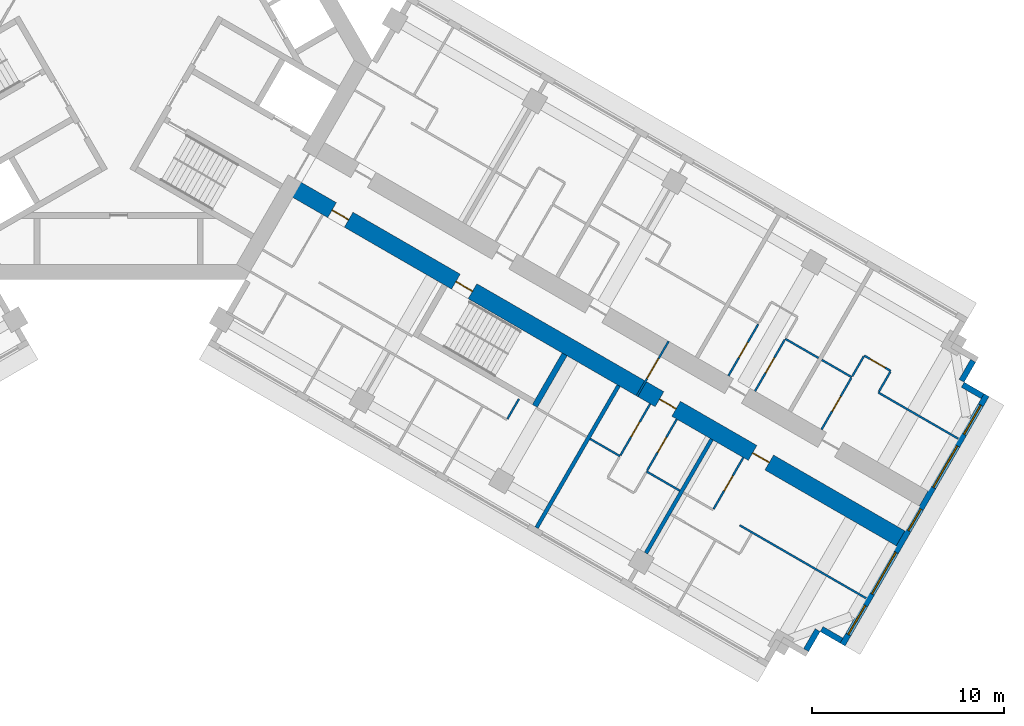
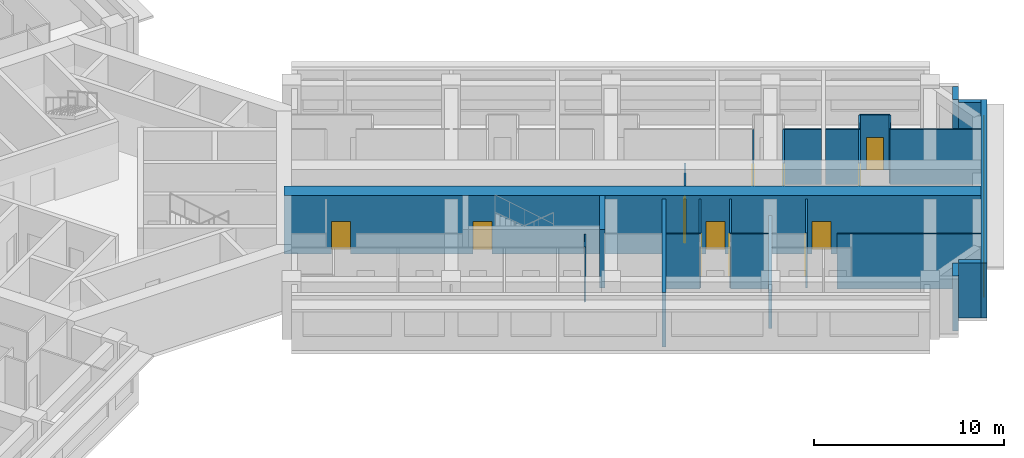
# One storey, part 11 of 15: 26 walls, 12 doors, 5 windows, 17 openings.
"""IFC4 building model written with IfcOpenShell, lengths in metres."""

from ifc_helpers import new_model, si_unit, direction, frame, frame_2d, origin, place, context, subcontext, project, spatial, rectangle, extrude, material, layer, layer_set, type_object, element, fill, save


model = new_model("IFC4")

# Units and contexts
model_context = context("Model", 3, precision=1e-05, world=origin(), true_north=direction((0.0, 1.0)))
body_context = subcontext(model_context, "Body", "Model", "MODEL_VIEW")
ifc_project = project(units=[si_unit("LENGTHUNIT", "METRE"), si_unit("AREAUNIT", "SQUARE_METRE"), si_unit("VOLUMEUNIT", "CUBIC_METRE"), si_unit("PLANEANGLEUNIT", "RADIAN"), si_unit("MASSUNIT", "GRAM", prefix="KILO")], contexts=[model_context])

# Site, building, storey
site_placement = place(None, origin())
site = spatial("IfcSite", under=ifc_project, at=site_placement, CompositionType="ELEMENT")
building_placement = place(site_placement, origin())
building = spatial("IfcBuilding", under=site, at=building_placement, Name="Impinga Residences", CompositionType="ELEMENT")
storey_placement = place(building_placement, frame((0.0, 0.0, 109.75)))
storey = spatial("IfcBuildingStorey", under=building, at=storey_placement, Name="L26", CompositionType="ELEMENT", Elevation=109.75)

# Wall, openings, doors
ifc_material_1 = material(Name="Concrete C60/75", Category="concrete")
ifc_layer_1 = layer(ifc_material_1, 0.89990234375)
ifc_layer_set_1 = layer_set([ifc_layer_1], Name="Concrete C60/75")
wall_type_1 = type_object("IfcWallType", Name="BW2 corridor buttress wall, L24 to L44 900", PredefinedType="SHEAR", material=ifc_layer_set_1)
wall_1_placement = place(storey_placement, frame((8.95361328125, -6.554931640625, 0.0), z_axis=(0.0, 0.0, 1.0), x_axis=(0.866024733898, -0.500001160275, 0.0)))
wall_1 = element("IfcWall", 1, at=wall_1_placement, inside=storey, type_object=wall_type_1, Name="Corridor wall BW2 ED L26", PredefinedType="SHEAR", context=body_context, shape_type="SweptSolid", body=[
    extrude(rectangle(XDim=36.7001953125, YDim=0.89990234375, at=frame_2d((18.35009765625, 0.0))), origin(), (0.0, 0.0, 1.0), 3.75),
])
opening_1_placement = place(wall_1_placement, frame((9.949951171875, 0.0, 0.0)))
opening_1 = element("IfcOpeningElement", 2, at=opening_1_placement, cuts=wall_1, Name="Opening D5", PredefinedType="OPENING", context=body_context, shape_type="SweptSolid", body=[
    extrude(rectangle(XDim=1.0, YDim=2.10009765625, at=frame_2d((0.5, 1.050048828125))), frame((0.0, 0.4599609375, 0.0), z_axis=(0.0, -1.0, 0.0), x_axis=(1.0, 0.0, 0.0)), (0.0, 0.0, 1.0), 0.919921875),
])
opening_2_placement = place(wall_1_placement, frame((2.5, 0.0, 0.0)))
opening_2 = element("IfcOpeningElement", 3, at=opening_2_placement, cuts=wall_1, Name="Opening D1", PredefinedType="OPENING", context=body_context, shape_type="SweptSolid", body=[
    extrude(rectangle(XDim=1.0, YDim=2.10009765625, at=frame_2d((0.5, 1.050048828125))), frame((0.0, 0.4599609375, 0.0), z_axis=(0.0, -1.0, 0.0), x_axis=(1.0, 0.0, 0.0)), (0.0, 0.0, 1.0), 0.919921875),
])
opening_3_placement = place(wall_1_placement, frame((22.199951171875, 0.0, 0.0)))
opening_3 = element("IfcOpeningElement", 4, at=opening_3_placement, cuts=wall_1, Name="Opening D1", PredefinedType="OPENING", context=body_context, shape_type="SweptSolid", body=[
    extrude(rectangle(XDim=1.0, YDim=2.10009765625, at=frame_2d((0.5, 1.050048828125))), frame((0.0, 0.4599609375, 0.0), z_axis=(0.0, -1.0, 0.0), x_axis=(1.0, 0.0, 0.0)), (0.0, 0.0, 1.0), 0.919921875),
])
opening_4_placement = place(wall_1_placement, frame((27.800048828125, 0.0, 0.0)))
opening_4 = element("IfcOpeningElement", 5, at=opening_4_placement, cuts=wall_1, Name="Opening D1", PredefinedType="OPENING", context=body_context, shape_type="SweptSolid", body=[
    extrude(rectangle(XDim=1.0, YDim=2.10009765625, at=frame_2d((0.5, 1.050048828125))), frame((0.0, 0.4599609375, 0.0), z_axis=(0.0, -1.0, 0.0), x_axis=(1.0, 0.0, 0.0)), (0.0, 0.0, 1.0), 0.919921875),
])
ifc_material_2 = material(Name="Timber door set", Category="wood")
door_type_1 = type_object("IfcDoorType", Name="D1 apartment entrance door 1000x2100", OperationType="SINGLE_SWING_LEFT", PredefinedType="DOOR", material=ifc_material_2)
door_1_placement = place(opening_2_placement, origin())
door_1 = element("IfcDoor", 6, at=door_1_placement, inside=storey, type_object=door_type_1, Name="Apartment L26-EF1 entrance", OperationType="SINGLE_SWING_LEFT", OverallHeight=2.10009765625, OverallWidth=1.0, PredefinedType="DOOR", context=body_context, shape_type="SweptSolid", body=[
    extrude(rectangle(XDim=1.0, YDim=2.10009765625, at=frame_2d((0.5, 1.050048828125))), frame((0.0, 0.02490234375, 0.0), z_axis=(0.0, -1.0, 0.0), x_axis=(1.0, 0.0, 0.0)), (0.0, 0.0, 1.0), 0.050048828125),
])
fill(opening_2, door_1)
door_2_placement = place(opening_3_placement, origin())
door_2 = element("IfcDoor", 7, at=door_2_placement, inside=storey, type_object=door_type_1, Name="Apartment L26-EF2 entrance", OperationType="SINGLE_SWING_RIGHT", OverallHeight=2.10009765625, OverallWidth=1.0, PredefinedType="DOOR", context=body_context, shape_type="SweptSolid", body=[
    extrude(rectangle(XDim=1.0, YDim=2.10009765625, at=frame_2d((0.5, 1.050048828125))), frame((0.0, 0.02490234375, 0.0), z_axis=(0.0, -1.0, 0.0), x_axis=(1.0, 0.0, 0.0)), (0.0, 0.0, 1.0), 0.050048828125),
])
fill(opening_3, door_2)
door_3_placement = place(opening_4_placement, origin())
door_3 = element("IfcDoor", 8, at=door_3_placement, inside=storey, type_object=door_type_1, Name="Apartment L26-EF3 entrance", OperationType="SINGLE_SWING_RIGHT", OverallHeight=2.10009765625, OverallWidth=1.0, PredefinedType="DOOR", context=body_context, shape_type="SweptSolid", body=[
    extrude(rectangle(XDim=1.0, YDim=2.10009765625, at=frame_2d((0.5, 1.050048828125))), frame((0.0, 0.02490234375, 0.0), z_axis=(0.0, -1.0, 0.0), x_axis=(1.0, 0.0, 0.0)), (0.0, 0.0, 1.0), 0.050048828125),
])
fill(opening_4, door_3)
door_type_2 = type_object("IfcDoorType", Name="D5 stair door 1000x2100", OperationType="SINGLE_SWING_LEFT", PredefinedType="DOOR", material=ifc_material_2)
door_4_placement = place(opening_1_placement, origin())
door_4 = element("IfcDoor", 9, at=door_4_placement, inside=storey, type_object=door_type_2, Name="Wing stair door E", OperationType="SINGLE_SWING_LEFT", OverallHeight=2.10009765625, OverallWidth=1.0, PredefinedType="DOOR", context=body_context, shape_type="SweptSolid", body=[
    extrude(rectangle(XDim=1.0, YDim=2.10009765625, at=frame_2d((0.5, 1.050048828125))), frame((0.0, 0.02490234375, 0.0), z_axis=(0.0, -1.0, 0.0), x_axis=(1.0, 0.0, 0.0)), (0.0, 0.0, 1.0), 0.050048828125),
])
fill(opening_1, door_4)

# Wall, opening, door
ifc_material_3 = material(Name="Concrete blockwork", Category="masonry")
ifc_layer_2 = layer(ifc_material_3, 0.10009765625)
ifc_layer_set_2 = layer_set([ifc_layer_2], Name="CP1 core room partition, blockwork 100")
wall_type_2 = type_object("IfcWallType", Name="CP1 core room partition, blockwork 100", PredefinedType="PARTITIONING", material=ifc_layer_set_2)
wall_2_placement = place(storey_placement, frame((28.652099609375, -14.636962890625, 0.0), z_axis=(0.0, 0.0, 1.0), x_axis=(-0.499974350878, -0.866040211805, 0.0)))
wall_2 = element("IfcWall", 10, at=wall_2_placement, inside=storey, type_object=wall_type_2, Name="Core room partition, blockwork L26:E:SCR", PredefinedType="PARTITIONING", context=body_context, shape_type="SweptSolid", body=[
    extrude(rectangle(XDim=3.300048828125, YDim=0.10009765625, at=frame_2d((1.64990234375, 0.0))), origin(), (0.0, 0.0, 1.0), 3.530029296875),
])
opening_5_placement = place(wall_2_placement, frame((1.050048828125, 0.0, 0.0)))
opening_5 = element("IfcOpeningElement", 11, at=opening_5_placement, cuts=wall_2, Name="Opening D3", PredefinedType="OPENING", context=body_context, shape_type="SweptSolid", body=[
    extrude(rectangle(XDim=1.199951171875, YDim=2.10009765625, at=frame_2d((0.60009765625, 1.050048828125))), frame((0.0, 0.06005859375, 0.0), z_axis=(0.0, -1.0, 0.0), x_axis=(1.0, 0.0, 0.0)), (0.0, 0.0, 1.0), 0.1201171875),
])
door_type_3 = type_object("IfcDoorType", Name="D3 room door, leaf and a half 1200x2100", OperationType="DOUBLE_SWING_LEFT", PredefinedType="DOOR", material=ifc_material_2)
door_5_placement = place(opening_5_placement, origin())
door_5 = element("IfcDoor", 12, at=door_5_placement, inside=storey, type_object=door_type_3, Name="Corridor smoke door E", OperationType="DOUBLE_SWING_LEFT", OverallHeight=2.10009765625, OverallWidth=1.199951171875, PredefinedType="DOOR", context=body_context, shape_type="SweptSolid", body=[
    extrude(rectangle(XDim=1.199951171875, YDim=2.10009765625, at=frame_2d((0.60009765625, 1.050048828125))), frame((0.0, 0.02490234375, 0.0), z_axis=(0.0, -1.0, 0.0), x_axis=(1.0, 0.0, 0.0)), (0.0, 0.0, 1.0), 0.050048828125),
])
fill(opening_5, door_5)

# Walls
ifc_material_4 = material(Name="Terracotta rainscreen on blockwork", Category="masonry")
ifc_layer_3 = layer(ifc_material_4, 0.300048828125)
ifc_layer_set_3 = layer_set([ifc_layer_3], Name="EW1 external wall, terracotta rainscreen on blockwork 300")
wall_type_3 = type_object("IfcWallType", Name="EW1 external wall, terracotta rainscreen on blockwork 300", PredefinedType="SOLIDWALL", material=ifc_layer_set_3)
wall_3_placement = place(storey_placement, frame((44.517578125, -15.65625, 0.0), z_axis=(0.0, 0.0, 1.0), x_axis=(-0.500033551112, -0.866006032174, 0.0)))
element("IfcWall", 13, at=wall_3_placement, inside=storey, type_object=wall_type_3, Name="External wall EW1 L26", PredefinedType="SOLIDWALL", context=body_context, shape_type="SweptSolid", body=[
    extrude(rectangle(XDim=1.2001953125, YDim=0.300048828125, at=frame_2d((0.60009765625, 0.0))), origin(), (0.0, 0.0, 1.0), 3.530029296875),
])
wall_4_placement = place(storey_placement, frame((43.976806640625, -16.903076171875, 0.0), z_axis=(0.0, 0.0, 1.0), x_axis=(0.866059708757, -0.499940577336, 0.0)))
element("IfcWall", 14, at=wall_4_placement, inside=storey, type_object=wall_type_3, Name="External wall EW1 L26", PredefinedType="SOLIDWALL", context=body_context, shape_type="SweptSolid", body=[
    extrude(rectangle(XDim=1.195068359375, YDim=0.300048828125, at=frame_2d((0.59765625, 0.0))), origin(), (0.0, 0.0, 1.0), 3.530029296875),
])

# Wall, openings, windows
wall_5_placement = place(storey_placement, frame((45.216552734375, -17.445556640625, 0.0), z_axis=(0.0, 0.0, 1.0), x_axis=(-0.499997186618, -0.866027028085, 0.0)))
wall_5 = element("IfcWall", 15, at=wall_5_placement, inside=storey, type_object=wall_type_3, Name="External wall EW1 L26", PredefinedType="SOLIDWALL", context=body_context, shape_type="SweptSolid", body=[
    extrude(rectangle(XDim=15.0, YDim=0.300048828125, at=frame_2d((7.5, 0.0))), origin(), (0.0, 0.0, 1.0), 3.530029296875),
])
opening_6_placement = place(wall_5_placement, frame((0.60009765625, 0.0, 0.89990234375)))
opening_6 = element("IfcOpeningElement", 16, at=opening_6_placement, cuts=wall_5, Name="Opening W1", PredefinedType="OPENING", context=body_context, shape_type="SweptSolid", body=[
    extrude(rectangle(XDim=1.75, YDim=2.050048828125, at=frame_2d((0.875, 1.02490234375))), frame((0.0, 0.159912109375, 0.0), z_axis=(0.0, -1.0, 0.0), x_axis=(1.0, 0.0, 0.0)), (0.0, 0.0, 1.0), 0.320068359375),
])
opening_7_placement = place(wall_5_placement, frame((3.050048828125, 0.0, 0.89990234375)))
opening_7 = element("IfcOpeningElement", 17, at=opening_7_placement, cuts=wall_5, Name="Opening W2", PredefinedType="OPENING", context=body_context, shape_type="SweptSolid", body=[
    extrude(rectangle(XDim=2.5, YDim=2.050048828125, at=frame_2d((1.25, 1.02490234375))), frame((0.0, 0.159912109375, 0.0), z_axis=(0.0, -1.0, 0.0), x_axis=(1.0, 0.0, 0.0)), (0.0, 0.0, 1.0), 0.320068359375),
])
opening_8_placement = place(wall_5_placement, frame((6.85009765625, 0.0, 0.89990234375)))
opening_8 = element("IfcOpeningElement", 18, at=opening_8_placement, cuts=wall_5, Name="Opening WE1", PredefinedType="OPENING", context=body_context, shape_type="SweptSolid", body=[
    extrude(rectangle(XDim=1.300048828125, YDim=2.050048828125, at=frame_2d((0.64990234375, 1.02490234375))), frame((0.0, 0.159912109375, 0.0), z_axis=(0.0, -1.0, 0.0), x_axis=(1.0, 0.0, 0.0)), (0.0, 0.0, 1.0), 0.320068359375),
])
opening_9_placement = place(wall_5_placement, frame((9.449951171875, 0.0, 0.89990234375)))
opening_9 = element("IfcOpeningElement", 19, at=opening_9_placement, cuts=wall_5, Name="Opening W2", PredefinedType="OPENING", context=body_context, shape_type="SweptSolid", body=[
    extrude(rectangle(XDim=2.5, YDim=2.050048828125, at=frame_2d((1.25, 1.02490234375))), frame((0.0, 0.159912109375, 0.0), z_axis=(0.0, -1.0, 0.0), x_axis=(1.0, 0.0, 0.0)), (0.0, 0.0, 1.0), 0.320068359375),
])
opening_10_placement = place(wall_5_placement, frame((12.64990234375, 0.0, 0.89990234375)))
opening_10 = element("IfcOpeningElement", 20, at=opening_10_placement, cuts=wall_5, Name="Opening W1", PredefinedType="OPENING", context=body_context, shape_type="SweptSolid", body=[
    extrude(rectangle(XDim=1.75, YDim=2.050048828125, at=frame_2d((0.875, 1.02490234375))), frame((0.0, 0.159912109375, 0.0), z_axis=(0.0, -1.0, 0.0), x_axis=(1.0, 0.0, 0.0)), (0.0, 0.0, 1.0), 0.320068359375),
])
ifc_material_5 = material(Name="Aluminium window, clear double glazing", Category="aluminium")
window_type_1 = type_object("IfcWindowType", Name="W1 ribbon window 1750x2050", PartitioningType="SINGLE_PANEL", PredefinedType="WINDOW", material=ifc_material_5)
window_1_placement = place(opening_6_placement, origin())
window_1 = element("IfcWindow", 21, at=window_1_placement, inside=storey, type_object=window_type_1, Name="Window L26", OverallHeight=2.050048828125, OverallWidth=1.75, PartitioningType="SINGLE_PANEL", PredefinedType="WINDOW", context=body_context, shape_type="SweptSolid", body=[
    extrude(rectangle(XDim=1.75, YDim=2.050048828125, at=frame_2d((0.875, 1.02490234375))), frame((0.0, 0.030029296875, 0.0), z_axis=(0.0, -1.0, 0.0), x_axis=(1.0, 0.0, 0.0)), (0.0, 0.0, 1.0), 0.06005859375),
])
fill(opening_6, window_1)
window_2_placement = place(opening_10_placement, origin())
window_2 = element("IfcWindow", 22, at=window_2_placement, inside=storey, type_object=window_type_1, Name="Window L26", OverallHeight=2.050048828125, OverallWidth=1.75, PartitioningType="SINGLE_PANEL", PredefinedType="WINDOW", context=body_context, shape_type="SweptSolid", body=[
    extrude(rectangle(XDim=1.75, YDim=2.050048828125, at=frame_2d((0.875, 1.02490234375))), frame((0.0, 0.030029296875, 0.0), z_axis=(0.0, -1.0, 0.0), x_axis=(1.0, 0.0, 0.0)), (0.0, 0.0, 1.0), 0.06005859375),
])
fill(opening_10, window_2)
window_type_2 = type_object("IfcWindowType", Name="W2 ribbon window 2500x2050", PartitioningType="SINGLE_PANEL", PredefinedType="WINDOW", material=ifc_material_5)
window_3_placement = place(opening_7_placement, origin())
window_3 = element("IfcWindow", 23, at=window_3_placement, inside=storey, type_object=window_type_2, Name="Window L26", OverallHeight=2.050048828125, OverallWidth=2.5, PartitioningType="SINGLE_PANEL", PredefinedType="WINDOW", context=body_context, shape_type="SweptSolid", body=[
    extrude(rectangle(XDim=2.5, YDim=2.050048828125, at=frame_2d((1.25, 1.02490234375))), frame((0.0, 0.030029296875, 0.0), z_axis=(0.0, -1.0, 0.0), x_axis=(1.0, 0.0, 0.0)), (0.0, 0.0, 1.0), 0.06005859375),
])
fill(opening_7, window_3)
window_4_placement = place(opening_9_placement, origin())
window_4 = element("IfcWindow", 24, at=window_4_placement, inside=storey, type_object=window_type_2, Name="Window L26", OverallHeight=2.050048828125, OverallWidth=2.5, PartitioningType="SINGLE_PANEL", PredefinedType="WINDOW", context=body_context, shape_type="SweptSolid", body=[
    extrude(rectangle(XDim=2.5, YDim=2.050048828125, at=frame_2d((1.25, 1.02490234375))), frame((0.0, 0.030029296875, 0.0), z_axis=(0.0, -1.0, 0.0), x_axis=(1.0, 0.0, 0.0)), (0.0, 0.0, 1.0), 0.06005859375),
])
fill(opening_9, window_4)
window_type_3 = type_object("IfcWindowType", Name="WE1 corridor window 1300x2050", PartitioningType="SINGLE_PANEL", PredefinedType="WINDOW", material=ifc_material_5)
window_5_placement = place(opening_8_placement, origin())
window_5 = element("IfcWindow", 25, at=window_5_placement, inside=storey, type_object=window_type_3, Name="Window L26", OverallHeight=2.050048828125, OverallWidth=1.300048828125, PartitioningType="SINGLE_PANEL", PredefinedType="WINDOW", context=body_context, shape_type="SweptSolid", body=[
    extrude(rectangle(XDim=1.300048828125, YDim=2.050048828125, at=frame_2d((0.64990234375, 1.02490234375))), frame((0.0, 0.030029296875, 0.0), z_axis=(0.0, -1.0, 0.0), x_axis=(1.0, 0.0, 0.0)), (0.0, 0.0, 1.0), 0.06005859375),
])
fill(opening_8, window_5)

# Walls
wall_6_placement = place(storey_placement, frame((37.66162109375, -30.23095703125, 0.0), z_axis=(0.0, 0.0, 1.0), x_axis=(-0.866059708757, 0.499940577336, 0.0)))
element("IfcWall", 26, at=wall_6_placement, inside=storey, type_object=wall_type_3, Name="External wall EW1 L26", PredefinedType="SOLIDWALL", context=body_context, shape_type="SweptSolid", body=[
    extrude(rectangle(XDim=1.195068359375, YDim=0.300048828125, at=frame_2d((0.59765625, 0.0))), origin(), (0.0, 0.0, 1.0), 3.530029296875),
])
wall_7_placement = place(storey_placement, frame((36.41748046875, -29.68603515625, 0.0), z_axis=(0.0, 0.0, 1.0), x_axis=(-0.499969057507, -0.866043267704, 0.0)))
element("IfcWall", 27, at=wall_7_placement, inside=storey, type_object=wall_type_3, Name="External wall EW1 L26", PredefinedType="SOLIDWALL", context=body_context, shape_type="SweptSolid", body=[
    extrude(rectangle(XDim=1.19970703125, YDim=0.300048828125, at=frame_2d((0.599853515625, 0.0))), origin(), (0.0, 0.0, 1.0), 3.530029296875),
])
ifc_material_6 = material(Name="Gypsum board on steel studs", Category="steel")
ifc_layer_4 = layer(ifc_material_6, 0.10009765625)
ifc_layer_set_4 = layer_set([ifc_layer_4], Name="Gypsum board on steel studs")
wall_type_4 = type_object("IfcWallType", Name="IP1 partition 100", PredefinedType="PARTITIONING", material=ifc_layer_set_4)
wall_8_placement = place(storey_placement, frame((34.72998046875, -14.5087890625, 0.0), z_axis=(0.0, 0.0, 1.0), x_axis=(0.866041268327, -0.499972520799, 0.0)))
element("IfcWall", 28, at=wall_8_placement, inside=storey, type_object=wall_type_4, Name="Partition L26-EA4:DIV1", PredefinedType="PARTITIONING", context=body_context, shape_type="SweptSolid", body=[
    extrude(rectangle(XDim=2.0, YDim=0.10009765625, at=frame_2d((1.0, 0.0))), origin(), (0.0, 0.0, 1.0), 3.530029296875),
])

# Wall, opening, door
wall_9_placement = place(storey_placement, frame((31.76953125, -16.436767578125, 0.0), z_axis=(0.0, 0.0, 1.0), x_axis=(0.499967891604, 0.866043940782, 0.0)))
wall_9 = element("IfcWall", 29, at=wall_9_placement, inside=storey, type_object=wall_type_4, Name="Partition L26-EA4:IB1", PredefinedType="PARTITIONING", context=body_context, shape_type="SweptSolid", body=[
    extrude(rectangle(XDim=3.099853515625, YDim=0.10009765625, at=frame_2d((1.5498046875, 0.0))), origin(), (0.0, 0.0, 1.0), 3.530029296875),
])
opening_11_placement = place(wall_9_placement, frame((1.10009765625, 0.0, 0.0)))
opening_11 = element("IfcOpeningElement", 30, at=opening_11_placement, cuts=wall_9, Name="Opening D2", PredefinedType="OPENING", context=body_context, shape_type="SweptSolid", body=[
    extrude(rectangle(XDim=0.89990234375, YDim=2.10009765625, at=frame_2d((0.449951171875, 1.050048828125))), frame((0.0, 0.06005859375, 0.0), z_axis=(0.0, -1.0, 0.0), x_axis=(1.0, 0.0, 0.0)), (0.0, 0.0, 1.0), 0.1201171875),
])
door_type_4 = type_object("IfcDoorType", Name="D2 internal door 900x2100", OperationType="SINGLE_SWING_LEFT", PredefinedType="DOOR", material=ifc_material_2)
door_6_placement = place(opening_11_placement, origin())
door_6 = element("IfcDoor", 31, at=door_6_placement, inside=storey, type_object=door_type_4, Name="Apartment L26-EA4 bathroom door", OperationType="SINGLE_SWING_LEFT", OverallHeight=2.10009765625, OverallWidth=0.89990234375, PredefinedType="DOOR", context=body_context, shape_type="SweptSolid", body=[
    extrude(rectangle(XDim=0.89990234375, YDim=2.10009765625, at=frame_2d((0.449951171875, 1.050048828125))), frame((0.0, 0.02490234375, 0.0), z_axis=(0.0, -1.0, 0.0), x_axis=(1.0, 0.0, 0.0)), (0.0, 0.0, 1.0), 0.050048828125),
])
fill(opening_11, door_6)

wall_10_placement = place(storey_placement, frame((33.155029296875, -17.23681640625, 0.0), z_axis=(0.0, 0.0, 1.0), x_axis=(0.500026960575, 0.86600983753, 0.0)))
wall_10 = element("IfcWall", 32, at=wall_10_placement, inside=storey, type_object=wall_type_4, Name="Partition L26-EA4:IB2", PredefinedType="PARTITIONING", context=body_context, shape_type="SweptSolid", body=[
    extrude(rectangle(XDim=3.099853515625, YDim=0.10009765625, at=frame_2d((1.5498046875, 0.0))), origin(), (0.0, 0.0, 1.0), 3.530029296875),
])
opening_12_placement = place(wall_10_placement, frame((1.10009765625, 0.0, 0.0)))
opening_12 = element("IfcOpeningElement", 33, at=opening_12_placement, cuts=wall_10, Name="Opening D2", PredefinedType="OPENING", context=body_context, shape_type="SweptSolid", body=[
    extrude(rectangle(XDim=0.89990234375, YDim=2.10009765625, at=frame_2d((0.449951171875, 1.050048828125))), frame((0.0, 0.06005859375, 0.0), z_axis=(0.0, -1.0, 0.0), x_axis=(1.0, 0.0, 0.0)), (0.0, 0.0, 1.0), 0.1201171875),
])
door_7_placement = place(opening_12_placement, origin())
door_7 = element("IfcDoor", 34, at=door_7_placement, inside=storey, type_object=door_type_4, Name="Apartment L26-EA4 WC door", OperationType="SINGLE_SWING_LEFT", OverallHeight=2.10009765625, OverallWidth=0.89990234375, PredefinedType="DOOR", context=body_context, shape_type="SweptSolid", body=[
    extrude(rectangle(XDim=0.89990234375, YDim=2.10009765625, at=frame_2d((0.449951171875, 1.050048828125))), frame((0.0, 0.02490234375, 0.0), z_axis=(0.0, -1.0, 0.0), x_axis=(1.0, 0.0, 0.0)), (0.0, 0.0, 1.0), 0.050048828125),
])
fill(opening_12, door_7)

# Walls
wall_11_placement = place(storey_placement, frame((36.63525390625, -15.60888671875, 0.0), z_axis=(0.0, 0.0, 1.0), x_axis=(0.866047807691, -0.499961193289, 0.0)))
element("IfcWall", 35, at=wall_11_placement, inside=storey, type_object=wall_type_4, Name="Partition L26-EA5:DIV0", PredefinedType="PARTITIONING", context=body_context, shape_type="SweptSolid", body=[
    extrude(rectangle(XDim=1.800048828125, YDim=0.10009765625, at=frame_2d((0.89990234375, 0.0))), origin(), (0.0, 0.0, 1.0), 3.530029296875),
])
wall_12_placement = place(storey_placement, frame((39.579833984375, -17.308837890625, 0.0), z_axis=(0.0, 0.0, 1.0), x_axis=(0.866037363387, -0.499979284789, 0.0)))
element("IfcWall", 36, at=wall_12_placement, inside=storey, type_object=wall_type_4, Name="Partition L26-EA5:DIV1", PredefinedType="PARTITIONING", context=body_context, shape_type="SweptSolid", body=[
    extrude(rectangle(XDim=4.800048828125, YDim=0.10009765625, at=frame_2d((2.39990234375, 0.0))), origin(), (0.0, 0.0, 1.0), 3.530029296875),
])

# Wall, opening, door
wall_13_placement = place(storey_placement, frame((38.84423828125, -15.383056640625, 0.0), z_axis=(0.0, 0.0, 1.0), x_axis=(0.865989903783, -0.500061482766, 0.0)))
wall_13 = element("IfcWall", 37, at=wall_13_placement, inside=storey, type_object=wall_type_4, Name="Partition L26-EA5:STRIP", PredefinedType="PARTITIONING", context=body_context, shape_type="SweptSolid", body=[
    extrude(rectangle(XDim=1.599853515625, YDim=0.10009765625, at=frame_2d((0.7998046875, 0.0))), origin(), (0.0, 0.0, 1.0), 3.530029296875),
])
opening_13_placement = place(wall_13_placement, frame((0.35009765625, 0.0, 0.0)))
opening_13 = element("IfcOpeningElement", 38, at=opening_13_placement, cuts=wall_13, Name="Opening D2", PredefinedType="OPENING", context=body_context, shape_type="SweptSolid", body=[
    extrude(rectangle(XDim=0.89990234375, YDim=2.10009765625, at=frame_2d((0.449951171875, 1.050048828125))), frame((0.0, 0.06005859375, 0.0), z_axis=(0.0, -1.0, 0.0), x_axis=(1.0, 0.0, 0.0)), (0.0, 0.0, 1.0), 0.1201171875),
])
door_8_placement = place(opening_13_placement, origin())
door_8 = element("IfcDoor", 39, at=door_8_placement, inside=storey, type_object=door_type_4, Name="Apartment L26-EA5 room door", OperationType="SINGLE_SWING_LEFT", OverallHeight=2.10009765625, OverallWidth=0.89990234375, PredefinedType="DOOR", context=body_context, shape_type="SweptSolid", body=[
    extrude(rectangle(XDim=0.89990234375, YDim=2.10009765625, at=frame_2d((0.449951171875, 1.050048828125))), frame((0.0, 0.02490234375, 0.0), z_axis=(0.0, -1.0, 0.0), x_axis=(1.0, 0.0, 0.0)), (0.0, 0.0, 1.0), 0.050048828125),
])
fill(opening_13, door_8)

# Walls
wall_14_placement = place(storey_placement, frame((38.21923828125, -16.465576171875, 0.0), z_axis=(0.0, 0.0, 1.0), x_axis=(0.499880961361, 0.866094119867, 0.0)))
element("IfcWall", 40, at=wall_14_placement, inside=storey, type_object=wall_type_4, Name="Partition L26-EA5:SE0", PredefinedType="PARTITIONING", context=body_context, shape_type="SweptSolid", body=[
    extrude(rectangle(XDim=1.199951171875, YDim=0.10009765625, at=frame_2d((0.60009765625, 0.0))), origin(), (0.0, 0.0, 1.0), 3.530029296875),
])
wall_15_placement = place(storey_placement, frame((39.604736328125, -17.265625, 0.0), z_axis=(0.0, 0.0, 1.0), x_axis=(0.500033551112, 0.866006032174, 0.0)))
element("IfcWall", 41, at=wall_15_placement, inside=storey, type_object=wall_type_4, Name="Partition L26-EA5:SE1", PredefinedType="PARTITIONING", context=body_context, shape_type="SweptSolid", body=[
    extrude(rectangle(XDim=1.2001953125, YDim=0.10009765625, at=frame_2d((0.60009765625, 0.0))), origin(), (0.0, 0.0, 1.0), 3.530029296875),
])

# Wall, opening, door
wall_16_placement = place(storey_placement, frame((36.619140625, -19.23681640625, 0.0), z_axis=(0.0, 0.0, 1.0), x_axis=(0.500026960575, 0.86600983753, 0.0)))
wall_16 = element("IfcWall", 42, at=wall_16_placement, inside=storey, type_object=wall_type_4, Name="Partition L26-EA5:IB1", PredefinedType="PARTITIONING", context=body_context, shape_type="SweptSolid", body=[
    extrude(rectangle(XDim=3.099853515625, YDim=0.10009765625, at=frame_2d((1.5498046875, 0.0))), origin(), (0.0, 0.0, 1.0), 3.530029296875),
])
opening_14_placement = place(wall_16_placement, frame((1.10009765625, 0.0, 0.0)))
opening_14 = element("IfcOpeningElement", 43, at=opening_14_placement, cuts=wall_16, Name="Opening D2", PredefinedType="OPENING", context=body_context, shape_type="SweptSolid", body=[
    extrude(rectangle(XDim=0.89990234375, YDim=2.10009765625, at=frame_2d((0.449951171875, 1.050048828125))), frame((0.0, 0.06005859375, 0.0), z_axis=(0.0, -1.0, 0.0), x_axis=(1.0, 0.0, 0.0)), (0.0, 0.0, 1.0), 0.1201171875),
])
door_9_placement = place(opening_14_placement, origin())
door_9 = element("IfcDoor", 44, at=door_9_placement, inside=storey, type_object=door_type_4, Name="Apartment L26-EA5 bathroom door", OperationType="SINGLE_SWING_LEFT", OverallHeight=2.10009765625, OverallWidth=0.89990234375, PredefinedType="DOOR", context=body_context, shape_type="SweptSolid", body=[
    extrude(rectangle(XDim=0.89990234375, YDim=2.10009765625, at=frame_2d((0.449951171875, 1.050048828125))), frame((0.0, 0.02490234375, 0.0), z_axis=(0.0, -1.0, 0.0), x_axis=(1.0, 0.0, 0.0)), (0.0, 0.0, 1.0), 0.050048828125),
])
fill(opening_14, door_9)

# Walls
wall_17_placement = place(storey_placement, frame((20.85498046875, -17.640869140625, 0.0), z_axis=(0.0, 0.0, 1.0), x_axis=(-0.499880961361, -0.866094119867, 0.0)))
element("IfcWall", 45, at=wall_17_placement, inside=storey, type_object=wall_type_4, Name="Partition L26-EF1:SE1", PredefinedType="PARTITIONING", context=body_context, shape_type="SweptSolid", body=[
    extrude(rectangle(XDim=1.199951171875, YDim=0.10009765625, at=frame_2d((0.60009765625, 0.0))), origin(), (0.0, 0.0, 1.0), 3.530029296875),
])
wall_18_placement = place(storey_placement, frame((24.560791015625, -19.72265625, 0.0), z_axis=(0.0, 0.0, 1.0), x_axis=(0.865989075817, -0.500062916607, 0.0)))
element("IfcWall", 46, at=wall_18_placement, inside=storey, type_object=wall_type_4, Name="Partition L26-EF2:DIV0", PredefinedType="PARTITIONING", context=body_context, shape_type="SweptSolid", body=[
    extrude(rectangle(XDim=1.800048828125, YDim=0.10009765625, at=frame_2d((0.89990234375, 0.0))), origin(), (0.0, 0.0, 1.0), 3.530029296875),
])
wall_19_placement = place(storey_placement, frame((27.505126953125, -21.422607421875, 0.0), z_axis=(0.0, 0.0, 1.0), x_axis=(0.866041268327, -0.499972520799, 0.0)))
element("IfcWall", 47, at=wall_19_placement, inside=storey, type_object=wall_type_4, Name="Partition L26-EF2:DIV1", PredefinedType="PARTITIONING", context=body_context, shape_type="SweptSolid", body=[
    extrude(rectangle(XDim=2.0, YDim=0.10009765625, at=frame_2d((1.0, 0.0))), origin(), (0.0, 0.0, 1.0), 3.530029296875),
])

# Wall, opening, door
wall_20_placement = place(storey_placement, frame((27.694580078125, -17.894775390625, 0.0), z_axis=(0.0, 0.0, 1.0), x_axis=(-0.500026960575, -0.86600983753, 0.0)))
wall_20 = element("IfcWall", 48, at=wall_20_placement, inside=storey, type_object=wall_type_4, Name="Partition L26-EF2:IB1", PredefinedType="PARTITIONING", context=body_context, shape_type="SweptSolid", body=[
    extrude(rectangle(XDim=3.099853515625, YDim=0.10009765625, at=frame_2d((1.5498046875, 0.0))), origin(), (0.0, 0.0, 1.0), 3.530029296875),
])
opening_15_placement = place(wall_20_placement, frame((1.10009765625, 0.0, 0.0)))
opening_15 = element("IfcOpeningElement", 49, at=opening_15_placement, cuts=wall_20, Name="Opening D2", PredefinedType="OPENING", context=body_context, shape_type="SweptSolid", body=[
    extrude(rectangle(XDim=0.89990234375, YDim=2.10009765625, at=frame_2d((0.449951171875, 1.050048828125))), frame((0.0, 0.06005859375, 0.0), z_axis=(0.0, -1.0, 0.0), x_axis=(1.0, 0.0, 0.0)), (0.0, 0.0, 1.0), 0.1201171875),
])
door_10_placement = place(opening_15_placement, origin())
door_10 = element("IfcDoor", 50, at=door_10_placement, inside=storey, type_object=door_type_4, Name="Apartment L26-EF2 bathroom door", OperationType="SINGLE_SWING_LEFT", OverallHeight=2.10009765625, OverallWidth=0.89990234375, PredefinedType="DOOR", context=body_context, shape_type="SweptSolid", body=[
    extrude(rectangle(XDim=0.89990234375, YDim=2.10009765625, at=frame_2d((0.449951171875, 1.050048828125))), frame((0.0, 0.02490234375, 0.0), z_axis=(0.0, -1.0, 0.0), x_axis=(1.0, 0.0, 0.0)), (0.0, 0.0, 1.0), 0.050048828125),
])
fill(opening_15, door_10)

wall_21_placement = place(storey_placement, frame((29.080078125, -18.69482421875, 0.0), z_axis=(0.0, 0.0, 1.0), x_axis=(-0.499967891604, -0.866043940782, 0.0)))
wall_21 = element("IfcWall", 51, at=wall_21_placement, inside=storey, type_object=wall_type_4, Name="Partition L26-EF2:IB2", PredefinedType="PARTITIONING", context=body_context, shape_type="SweptSolid", body=[
    extrude(rectangle(XDim=3.099853515625, YDim=0.10009765625, at=frame_2d((1.5498046875, 0.0))), origin(), (0.0, 0.0, 1.0), 3.530029296875),
])
opening_16_placement = place(wall_21_placement, frame((1.10009765625, 0.0, 0.0)))
opening_16 = element("IfcOpeningElement", 52, at=opening_16_placement, cuts=wall_21, Name="Opening D2", PredefinedType="OPENING", context=body_context, shape_type="SweptSolid", body=[
    extrude(rectangle(XDim=0.89990234375, YDim=2.10009765625, at=frame_2d((0.449951171875, 1.050048828125))), frame((0.0, 0.06005859375, 0.0), z_axis=(0.0, -1.0, 0.0), x_axis=(1.0, 0.0, 0.0)), (0.0, 0.0, 1.0), 0.1201171875),
])
door_11_placement = place(opening_16_placement, origin())
door_11 = element("IfcDoor", 53, at=door_11_placement, inside=storey, type_object=door_type_4, Name="Apartment L26-EF2 WC door", OperationType="SINGLE_SWING_LEFT", OverallHeight=2.10009765625, OverallWidth=0.89990234375, PredefinedType="DOOR", context=body_context, shape_type="SweptSolid", body=[
    extrude(rectangle(XDim=0.89990234375, YDim=2.10009765625, at=frame_2d((0.449951171875, 1.050048828125))), frame((0.0, 0.02490234375, 0.0), z_axis=(0.0, -1.0, 0.0), x_axis=(1.0, 0.0, 0.0)), (0.0, 0.0, 1.0), 0.050048828125),
])
fill(opening_16, door_11)

# Wall
wall_22_placement = place(storey_placement, frame((32.35498046875, -24.22265625, 0.0), z_axis=(0.0, 0.0, 1.0), x_axis=(0.866022425744, -0.500005158081, 0.0)))
element("IfcWall", 54, at=wall_22_placement, inside=storey, type_object=wall_type_4, Name="Partition L26-EF3:DIV1", PredefinedType="PARTITIONING", context=body_context, shape_type="SweptSolid", body=[
    extrude(rectangle(XDim=7.60009765625, YDim=0.10009765625, at=frame_2d((3.800048828125, 0.0))), origin(), (0.0, 0.0, 1.0), 3.530029296875),
])

# Wall, opening, door
wall_23_placement = place(storey_placement, frame((32.544189453125, -20.69482421875, 0.0), z_axis=(0.0, 0.0, 1.0), x_axis=(-0.499967891604, -0.866043940782, 0.0)))
wall_23 = element("IfcWall", 55, at=wall_23_placement, inside=storey, type_object=wall_type_4, Name="Partition L26-EF3:IB1", PredefinedType="PARTITIONING", context=body_context, shape_type="SweptSolid", body=[
    extrude(rectangle(XDim=3.099853515625, YDim=0.10009765625, at=frame_2d((1.5498046875, 0.0))), origin(), (0.0, 0.0, 1.0), 3.530029296875),
])
opening_17_placement = place(wall_23_placement, frame((1.10009765625, 0.0, 0.0)))
opening_17 = element("IfcOpeningElement", 56, at=opening_17_placement, cuts=wall_23, Name="Opening D2", PredefinedType="OPENING", context=body_context, shape_type="SweptSolid", body=[
    extrude(rectangle(XDim=0.89990234375, YDim=2.10009765625, at=frame_2d((0.449951171875, 1.050048828125))), frame((0.0, 0.06005859375, 0.0), z_axis=(0.0, -1.0, 0.0), x_axis=(1.0, 0.0, 0.0)), (0.0, 0.0, 1.0), 0.1201171875),
])
door_12_placement = place(opening_17_placement, origin())
door_12 = element("IfcDoor", 57, at=door_12_placement, inside=storey, type_object=door_type_4, Name="Apartment L26-EF3 bathroom door", OperationType="SINGLE_SWING_LEFT", OverallHeight=2.10009765625, OverallWidth=0.89990234375, PredefinedType="DOOR", context=body_context, shape_type="SweptSolid", body=[
    extrude(rectangle(XDim=0.89990234375, YDim=2.10009765625, at=frame_2d((0.449951171875, 1.050048828125))), frame((0.0, 0.02490234375, 0.0), z_axis=(0.0, -1.0, 0.0), x_axis=(1.0, 0.0, 0.0)), (0.0, 0.0, 1.0), 0.050048828125),
])
fill(opening_17, door_12)

# Walls
ifc_layer_5 = layer(ifc_material_3, 0.199951171875)
ifc_layer_set_5 = layer_set([ifc_layer_5], Name="PW1 party wall between apartments 200")
wall_type_5 = type_object("IfcWallType", Name="PW1 party wall between apartments 200", PredefinedType="SOLIDWALL", material=ifc_layer_set_5)
wall_24_placement = place(storey_placement, frame((26.049072265625, -16.94482421875, 0.0), z_axis=(0.0, 0.0, 1.0), x_axis=(-0.500002592159, -0.866023907196, 0.0)))
element("IfcWall", 58, at=wall_24_placement, inside=storey, type_object=wall_type_5, Name="Party wall between apartments L26-EF1:PARTY", PredefinedType="SOLIDWALL", context=body_context, shape_type="SweptSolid", body=[
    extrude(rectangle(XDim=8.5498046875, YDim=0.199951171875, at=frame_2d((4.27490234375, 0.0))), origin(), (0.0, 0.0, 1.0), 3.530029296875),
])
wall_25_placement = place(storey_placement, frame((30.89892578125, -19.74462890625, 0.0), z_axis=(0.0, 0.0, 1.0), x_axis=(-0.499999086063, -0.866025931445, 0.0)))
element("IfcWall", 59, at=wall_25_placement, inside=storey, type_object=wall_type_5, Name="Party wall between apartments L26-EF2:PARTY", PredefinedType="SOLIDWALL", context=body_context, shape_type="SweptSolid", body=[
    extrude(rectangle(XDim=6.85009765625, YDim=0.199951171875, at=frame_2d((3.425048828125, 0.0))), origin(), (0.0, 0.0, 1.0), 2.47998046875),
])
ifc_layer_6 = layer(ifc_material_1, 0.300048828125)
ifc_layer_set_6 = layer_set([ifc_layer_6], Name="Concrete C60/75")
wall_type_6 = type_object("IfcWallType", Name="SE1 wing stair enclosure wall 300", PredefinedType="SOLIDWALL", material=ifc_layer_set_6)
wall_26_placement = place(storey_placement, frame((23.234619140625, -15.31982421875, 0.0), z_axis=(0.0, 0.0, 1.0), x_axis=(-0.500026960575, -0.86600983753, 0.0)))
element("IfcWall", 60, at=wall_26_placement, inside=storey, type_object=wall_type_6, Name="Stair enclosure wall SE1 E END1 L26", PredefinedType="SOLIDWALL", context=body_context, shape_type="SweptSolid", body=[
    extrude(rectangle(XDim=3.099853515625, YDim=0.300048828125, at=frame_2d((1.5498046875, 0.0))), origin(), (0.0, 0.0, 1.0), 3.75),
])

save(model, "model.ifc")
